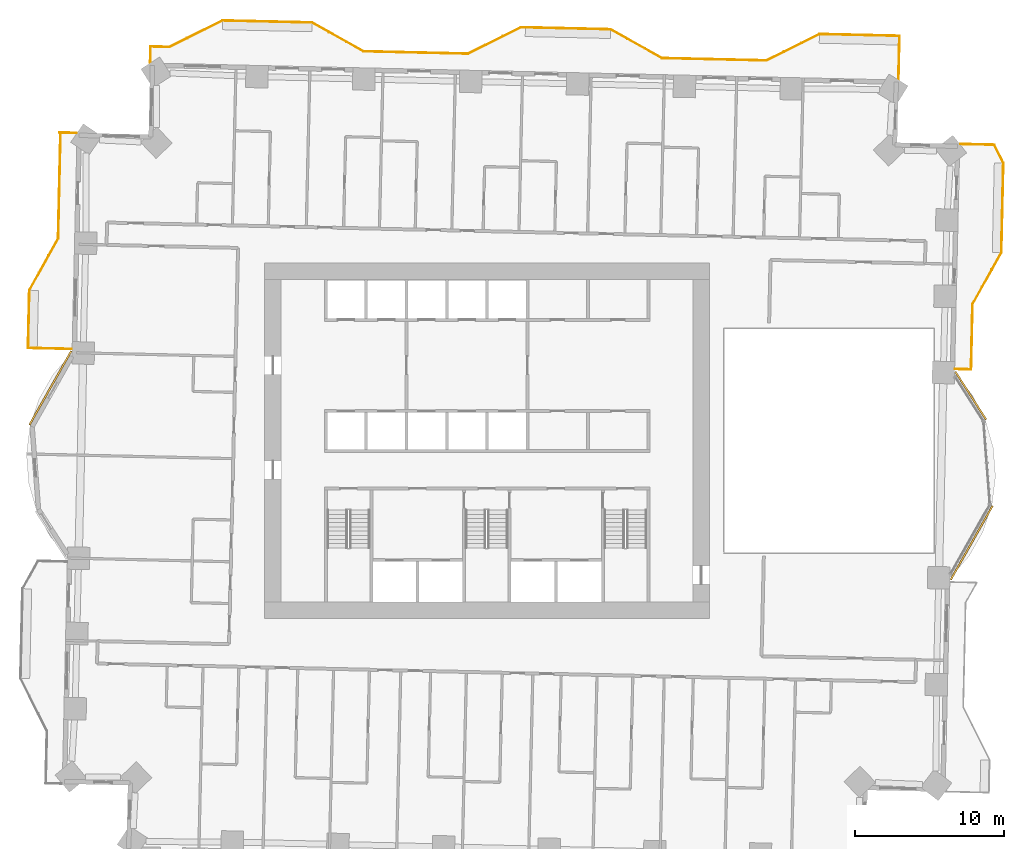
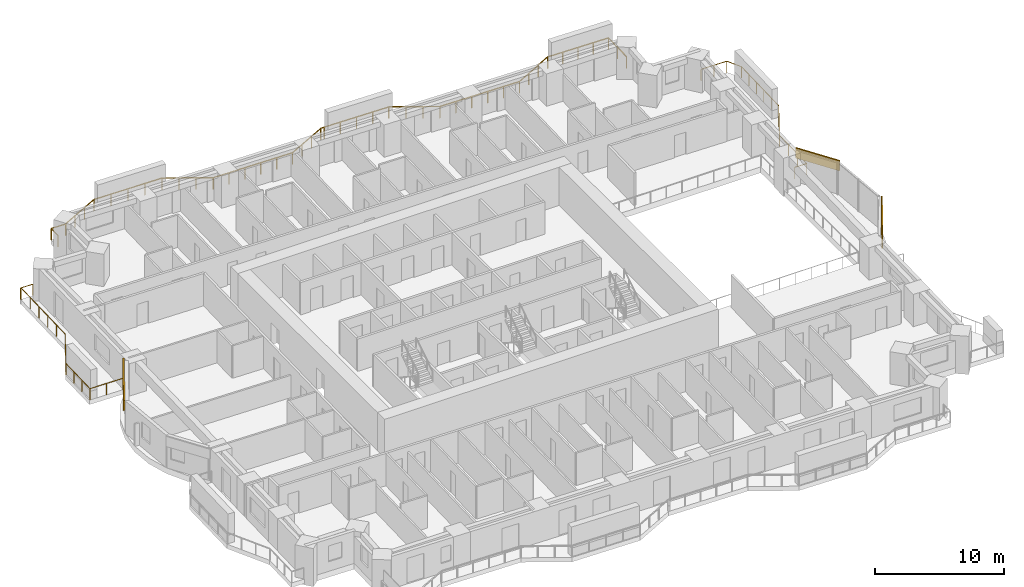
# One storey, part 18 of 18: 3 coverings, 3 railings.
"""IFC4 building model written with IfcOpenShell, lengths in metres."""

from ifc_helpers import new_model, si_unit, direction, frame, frame_2d, origin, origin_2d, place, context, subcontext, project, spatial, rectangle, extrude, material, layer, layer_set, type_object, element, save


model = new_model("IFC4")

# Units and contexts
model_context = context("Model", 3, precision=1e-05, world=origin(), true_north=direction((0.0, 1.0)))
body_context = subcontext(model_context, "Body", "Model", "MODEL_VIEW")
ifc_project = project(units=[si_unit("LENGTHUNIT", "METRE"), si_unit("AREAUNIT", "SQUARE_METRE"), si_unit("VOLUMEUNIT", "CUBIC_METRE"), si_unit("PLANEANGLEUNIT", "RADIAN"), si_unit("MASSUNIT", "GRAM", prefix="KILO")], contexts=[model_context])

# Site, building, storey
site_placement = place(None, origin())
site = spatial("IfcSite", under=ifc_project, at=site_placement, CompositionType="ELEMENT")
building_placement = place(site_placement, origin())
building = spatial("IfcBuilding", under=site, at=building_placement, Name="Mangrove Gate Tower", CompositionType="ELEMENT")
storey_placement = place(building_placement, frame((0.0, 0.0, 56.699951171875)))
storey = spatial("IfcBuildingStorey", under=building, at=storey_placement, Name="L13", CompositionType="ELEMENT", Elevation=56.699951171875)

# Railings
ifc_material_1 = material(Name="Stainless steel grade 316 with laminated glass infill", Category="steel")
railing_type = type_object("IfcRailingType", Name="Balcony guard 1100", PredefinedType="GUARDRAIL", material=ifc_material_1)
railing_1_placement = place(storey_placement, frame((31.362060546875, 4.802001953125, 0.0)))
element("IfcRailing", 1, at=railing_1_placement, inside=storey, type_object=railing_type, Name="GUARD L13 E2", PredefinedType="GUARDRAIL", context=body_context, shape_type="SweptSolid", body=[
    extrude(rectangle(XDim=0.048095703125, YDim=0.048095703125, at=origin_2d()), frame((0.0, 0.0, 1.076171875), z_axis=(0.999745389313, -0.022564497502, 0.0), x_axis=(0.022564497502, 0.999745389313, 0.0)), (0.0, 0.0, 1.0), 1.060302734375),
    extrude(rectangle(XDim=0.048095703125, YDim=0.048095703125, at=origin_2d()), frame((1.06005859375, -0.02392578125, 1.076171875), z_axis=(0.022606024383, 0.999744451178, 0.0), x_axis=(-0.999744451178, 0.022606024383, 0.0)), (0.0, 0.0, 1.0), 4.3740234375),
    extrude(rectangle(XDim=0.048095703125, YDim=0.048095703125, at=origin_2d()), frame((1.158935546875, 4.348876953125, 1.076171875), z_axis=(0.48726008209, 0.87325689943, 0.0), x_axis=(-0.87325689943, 0.48726008209, 0.0)), (0.0, 0.0, 1.0), 3.958740234375),
    extrude(rectangle(XDim=0.048095703125, YDim=0.048095703125, at=origin_2d()), frame((3.087890625, 7.805908203125, 1.076171875), z_axis=(0.022662255828, 0.999743178102, 0.0), x_axis=(-0.999743178102, 0.022662255828, 0.0)), (0.0, 0.0, 1.0), 6.00048828125),
    extrude(rectangle(XDim=0.048095703125, YDim=0.048095703125, at=origin_2d()), frame((3.223876953125, 13.804931640625, 1.076171875), z_axis=(-0.447141648494, 0.894463160886, 0.0), x_axis=(-0.894463160886, -0.447141648494, 0.0)), (0.0, 0.0, 1.0), 1.357421875),
    extrude(rectangle(XDim=0.048095703125, YDim=0.048095703125, at=origin_2d()), frame((2.616943359375, 15.01904296875, 1.076171875), z_axis=(-0.999748549019, 0.022424065974, 0.0), x_axis=(-0.022424065974, -0.999748549019, 0.0)), (0.0, 0.0, 1.0), 2.275390625),
    extrude(rectangle(XDim=0.0419921875, YDim=0.0419921875, at=origin_2d()), origin(), (0.0, 0.0, 1.0), 1.052001953125),
    extrude(rectangle(XDim=0.0419921875, YDim=0.0419921875, at=origin_2d()), frame((1.06005859375, -0.02392578125, 0.0)), (0.0, 0.0, 1.0), 1.052001953125),
    extrude(rectangle(XDim=0.0419921875, YDim=0.0419921875, at=origin_2d()), frame((1.093017578125, 1.43359375, 0.0)), (0.0, 0.0, 1.0), 1.052001953125),
    extrude(rectangle(XDim=0.0419921875, YDim=0.0419921875, at=origin_2d()), frame((1.1259765625, 2.891357421875, 0.0)), (0.0, 0.0, 1.0), 1.052001953125),
    extrude(rectangle(XDim=0.0419921875, YDim=0.0419921875, at=origin_2d()), frame((1.158935546875, 4.348876953125, 0.0)), (0.0, 0.0, 1.0), 1.052001953125),
    extrude(rectangle(XDim=0.0419921875, YDim=0.0419921875, at=origin_2d()), frame((1.802001953125, 5.501220703125, 0.0)), (0.0, 0.0, 1.0), 1.052001953125),
    extrude(rectangle(XDim=0.0419921875, YDim=0.0419921875, at=origin_2d()), frame((2.44482421875, 6.653564453125, 0.0)), (0.0, 0.0, 1.0), 1.052001953125),
    extrude(rectangle(XDim=0.0419921875, YDim=0.0419921875, at=origin_2d()), frame((3.087890625, 7.805908203125, 0.0)), (0.0, 0.0, 1.0), 1.052001953125),
    extrude(rectangle(XDim=0.0419921875, YDim=0.0419921875, at=origin_2d()), frame((3.114990234375, 9.005615234375, 0.0)), (0.0, 0.0, 1.0), 1.052001953125),
    extrude(rectangle(XDim=0.0419921875, YDim=0.0419921875, at=origin_2d()), frame((3.142333984375, 10.20556640625, 0.0)), (0.0, 0.0, 1.0), 1.052001953125),
    extrude(rectangle(XDim=0.0419921875, YDim=0.0419921875, at=origin_2d()), frame((3.16943359375, 11.4052734375, 0.0)), (0.0, 0.0, 1.0), 1.052001953125),
    extrude(rectangle(XDim=0.0419921875, YDim=0.0419921875, at=origin_2d()), frame((3.19677734375, 12.605224609375, 0.0)), (0.0, 0.0, 1.0), 1.052001953125),
    extrude(rectangle(XDim=0.0419921875, YDim=0.0419921875, at=origin_2d()), frame((3.223876953125, 13.804931640625, 0.0)), (0.0, 0.0, 1.0), 1.052001953125),
    extrude(rectangle(XDim=0.0419921875, YDim=0.0419921875, at=origin_2d()), frame((2.616943359375, 15.01904296875, 0.0)), (0.0, 0.0, 1.0), 1.052001953125),
    extrude(rectangle(XDim=0.0419921875, YDim=0.0419921875, at=origin_2d()), frame((1.4794921875, 15.04443359375, 0.0)), (0.0, 0.0, 1.0), 1.052001953125),
    extrude(rectangle(XDim=0.0419921875, YDim=0.0419921875, at=origin_2d()), frame((0.342041015625, 15.070068359375, 0.0)), (0.0, 0.0, 1.0), 1.052001953125),
])
railing_2_placement = place(storey_placement, frame((27.56103515625, 24.2080078125, 0.0)))
element("IfcRailing", 2, at=railing_2_placement, inside=storey, type_object=railing_type, Name="GUARD L13 N1", PredefinedType="GUARDRAIL", context=body_context, shape_type="SweptSolid", body=[
    extrude(rectangle(XDim=0.048095703125, YDim=0.048095703125, at=origin_2d()), frame((0.0, 0.0, 1.076171875), z_axis=(0.022654696127, 0.999743349437, 0.0), x_axis=(-0.999743349437, 0.022654696127, 0.0)), (0.0, 0.0, 1.0), 2.90966796875),
    extrude(rectangle(XDim=0.048095703125, YDim=0.048095703125, at=origin_2d()), frame((0.06591796875, 2.908935546875, 1.076171875), z_axis=(-0.99974134217, 0.022743103466, 0.0), x_axis=(-0.022743103466, -0.99974134217, 0.0)), (0.0, 0.0, 1.0), 5.367431640625),
    extrude(rectangle(XDim=0.048095703125, YDim=0.048095703125, at=origin_2d()), frame((-5.300048828125, 3.031005859375, 1.076171875), z_axis=(-0.894476522376, -0.447114919141, 0.0), x_axis=(0.447114919141, -0.894476522376, 0.0)), (0.0, 0.0, 1.0), 3.958740234375),
    extrude(rectangle(XDim=0.048095703125, YDim=0.048095703125, at=origin_2d()), frame((-8.841064453125, 1.260986328125, 1.076171875), z_axis=(-0.999745423737, 0.022562972274, 0.0), x_axis=(-0.022562972274, -0.999745423737, 0.0)), (0.0, 0.0, 1.0), 7.000732421875),
    extrude(rectangle(XDim=0.048095703125, YDim=0.048095703125, at=origin_2d()), frame((-15.840087890625, 1.4189453125, 1.076171875), z_axis=(-0.87325689943, 0.48726008209, 0.0), x_axis=(-0.48726008209, -0.87325689943, 0.0)), (0.0, 0.0, 1.0), 3.958740234375),
    extrude(rectangle(XDim=0.048095703125, YDim=0.048095703125, at=origin_2d()), frame((-19.297119140625, 3.347900390625, 1.076171875), z_axis=(-0.999739330573, 0.02283135795, 0.0), x_axis=(-0.02283135795, -0.999739330573, 0.0)), (0.0, 0.0, 1.0), 5.699462890625),
    extrude(rectangle(XDim=0.048095703125, YDim=0.048095703125, at=origin_2d()), frame((-24.9951171875, 3.47802734375, 1.076171875), z_axis=(-0.999809071236, 0.019540242435, 0.0), x_axis=(-0.019540242435, -0.999809071236, 0.0)), (0.0, 0.0, 1.0), 0.2998046875),
    extrude(rectangle(XDim=0.048095703125, YDim=0.048095703125, at=origin_2d()), frame((-25.294921875, 3.48388671875, 1.076171875), z_axis=(-0.894501186021, -0.447065574839, 0.0), x_axis=(0.447065574839, -0.894501186021, 0.0)), (0.0, 0.0, 1.0), 3.958740234375),
    extrude(rectangle(XDim=0.048095703125, YDim=0.048095703125, at=origin_2d()), frame((-28.8359375, 1.714111328125, 1.076171875), z_axis=(-0.999742195543, 0.022705559911, 0.0), x_axis=(-0.022705559911, -0.999742195543, 0.0)), (0.0, 0.0, 1.0), 6.999755859375),
    extrude(rectangle(XDim=0.048095703125, YDim=0.048095703125, at=origin_2d()), frame((-35.833984375, 1.873046875, 1.076171875), z_axis=(-0.873315448515, 0.487155136876, 0.0), x_axis=(-0.487155136876, -0.873315448515, 0.0)), (0.0, 0.0, 1.0), 3.959716796875),
    extrude(rectangle(XDim=0.048095703125, YDim=0.048095703125, at=origin_2d()), frame((-39.2919921875, 3.802001953125, 1.076171875), z_axis=(-0.999743094499, 0.022665943652, 0.0), x_axis=(-0.022665943652, -0.999743094499, 0.0)), (0.0, 0.0, 1.0), 5.99951171875),
    extrude(rectangle(XDim=0.048095703125, YDim=0.048095703125, at=origin_2d()), frame((-45.2900390625, 3.93798828125, 1.076171875), z_axis=(-0.894476522376, -0.447114919141, 0.0), x_axis=(0.447114919141, -0.894476522376, 0.0)), (0.0, 0.0, 1.0), 3.958740234375),
    extrude(rectangle(XDim=0.048095703125, YDim=0.048095703125, at=origin_2d()), frame((-48.8310546875, 2.16796875, 1.076171875), z_axis=(-0.999737645147, 0.022905040387, 0.0), x_axis=(-0.022905040387, -0.999737645147, 0.0)), (0.0, 0.0, 1.0), 1.268310546875),
    extrude(rectangle(XDim=0.048095703125, YDim=0.048095703125, at=origin_2d()), frame((-50.09912109375, 2.197021484375, 1.076171875), z_axis=(-0.022564497502, -0.999745389313, 0.0), x_axis=(0.999745389313, -0.022564497502, 0.0)), (0.0, 0.0, 1.0), 1.060302734375),
    extrude(rectangle(XDim=0.0419921875, YDim=0.0419921875, at=origin_2d()), origin(), (0.0, 0.0, 1.0), 1.052001953125),
    extrude(rectangle(XDim=0.0419921875, YDim=0.0419921875, at=origin_2d()), frame((0.032958984375, 1.45458984375, 0.0)), (0.0, 0.0, 1.0), 1.052001953125),
    extrude(rectangle(XDim=0.0419921875, YDim=0.0419921875, at=origin_2d()), frame((0.06591796875, 2.908935546875, 0.0)), (0.0, 0.0, 1.0), 1.052001953125),
    extrude(rectangle(XDim=0.0419921875, YDim=0.0419921875, at=origin_2d()), frame((-1.275634765625, 2.939453125, 0.0)), (0.0, 0.0, 1.0), 1.052001953125),
    extrude(rectangle(XDim=0.0419921875, YDim=0.0419921875, at=origin_2d()), frame((-2.6171875, 2.969970703125, 0.0)), (0.0, 0.0, 1.0), 1.052001953125),
    extrude(rectangle(XDim=0.0419921875, YDim=0.0419921875, at=origin_2d()), frame((-3.95849609375, 3.00048828125, 0.0)), (0.0, 0.0, 1.0), 1.052001953125),
    extrude(rectangle(XDim=0.0419921875, YDim=0.0419921875, at=origin_2d()), frame((-5.300048828125, 3.031005859375, 0.0)), (0.0, 0.0, 1.0), 1.052001953125),
    extrude(rectangle(XDim=0.0419921875, YDim=0.0419921875, at=origin_2d()), frame((-6.48046875, 2.44091796875, 0.0)), (0.0, 0.0, 1.0), 1.052001953125),
    extrude(rectangle(XDim=0.0419921875, YDim=0.0419921875, at=origin_2d()), frame((-7.66064453125, 1.85107421875, 0.0)), (0.0, 0.0, 1.0), 1.052001953125),
    extrude(rectangle(XDim=0.0419921875, YDim=0.0419921875, at=origin_2d()), frame((-8.841064453125, 1.260986328125, 0.0)), (0.0, 0.0, 1.0), 1.052001953125),
    extrude(rectangle(XDim=0.0419921875, YDim=0.0419921875, at=origin_2d()), frame((-10.240966796875, 1.29248046875, 0.0)), (0.0, 0.0, 1.0), 1.052001953125),
    extrude(rectangle(XDim=0.0419921875, YDim=0.0419921875, at=origin_2d()), frame((-11.640625, 1.32421875, 0.0)), (0.0, 0.0, 1.0), 1.052001953125),
    extrude(rectangle(XDim=0.0419921875, YDim=0.0419921875, at=origin_2d()), frame((-13.04052734375, 1.355712890625, 0.0)), (0.0, 0.0, 1.0), 1.052001953125),
    extrude(rectangle(XDim=0.0419921875, YDim=0.0419921875, at=origin_2d()), frame((-14.440185546875, 1.387451171875, 0.0)), (0.0, 0.0, 1.0), 1.052001953125),
    extrude(rectangle(XDim=0.0419921875, YDim=0.0419921875, at=origin_2d()), frame((-15.840087890625, 1.4189453125, 0.0)), (0.0, 0.0, 1.0), 1.052001953125),
    extrude(rectangle(XDim=0.0419921875, YDim=0.0419921875, at=origin_2d()), frame((-16.992431640625, 2.06201171875, 0.0)), (0.0, 0.0, 1.0), 1.052001953125),
    extrude(rectangle(XDim=0.0419921875, YDim=0.0419921875, at=origin_2d()), frame((-18.144775390625, 2.704833984375, 0.0)), (0.0, 0.0, 1.0), 1.052001953125),
    extrude(rectangle(XDim=0.0419921875, YDim=0.0419921875, at=origin_2d()), frame((-19.297119140625, 3.347900390625, 0.0)), (0.0, 0.0, 1.0), 1.052001953125),
    extrude(rectangle(XDim=0.0419921875, YDim=0.0419921875, at=origin_2d()), frame((-20.7216796875, 3.38037109375, 0.0)), (0.0, 0.0, 1.0), 1.052001953125),
    extrude(rectangle(XDim=0.0419921875, YDim=0.0419921875, at=origin_2d()), frame((-22.14599609375, 3.4130859375, 0.0)), (0.0, 0.0, 1.0), 1.052001953125),
    extrude(rectangle(XDim=0.0419921875, YDim=0.0419921875, at=origin_2d()), frame((-23.570556640625, 3.445556640625, 0.0)), (0.0, 0.0, 1.0), 1.052001953125),
    extrude(rectangle(XDim=0.0419921875, YDim=0.0419921875, at=origin_2d()), frame((-24.9951171875, 3.47802734375, 0.0)), (0.0, 0.0, 1.0), 1.052001953125),
    extrude(rectangle(XDim=0.0419921875, YDim=0.0419921875, at=origin_2d()), frame((-25.294921875, 3.48388671875, 0.0)), (0.0, 0.0, 1.0), 1.052001953125),
    extrude(rectangle(XDim=0.0419921875, YDim=0.0419921875, at=origin_2d()), frame((-26.475341796875, 2.89404296875, 0.0)), (0.0, 0.0, 1.0), 1.052001953125),
    extrude(rectangle(XDim=0.0419921875, YDim=0.0419921875, at=origin_2d()), frame((-27.655517578125, 2.303955078125, 0.0)), (0.0, 0.0, 1.0), 1.052001953125),
    extrude(rectangle(XDim=0.0419921875, YDim=0.0419921875, at=origin_2d()), frame((-28.8359375, 1.714111328125, 0.0)), (0.0, 0.0, 1.0), 1.052001953125),
    extrude(rectangle(XDim=0.0419921875, YDim=0.0419921875, at=origin_2d()), frame((-30.235595703125, 1.745849609375, 0.0)), (0.0, 0.0, 1.0), 1.052001953125),
    extrude(rectangle(XDim=0.0419921875, YDim=0.0419921875, at=origin_2d()), frame((-31.63525390625, 1.777587890625, 0.0)), (0.0, 0.0, 1.0), 1.052001953125),
    extrude(rectangle(XDim=0.0419921875, YDim=0.0419921875, at=origin_2d()), frame((-33.03466796875, 1.8095703125, 0.0)), (0.0, 0.0, 1.0), 1.052001953125),
    extrude(rectangle(XDim=0.0419921875, YDim=0.0419921875, at=origin_2d()), frame((-34.434326171875, 1.84130859375, 0.0)), (0.0, 0.0, 1.0), 1.052001953125),
    extrude(rectangle(XDim=0.0419921875, YDim=0.0419921875, at=origin_2d()), frame((-35.833984375, 1.873046875, 0.0)), (0.0, 0.0, 1.0), 1.052001953125),
    extrude(rectangle(XDim=0.0419921875, YDim=0.0419921875, at=origin_2d()), frame((-36.986572265625, 2.51611328125, 0.0)), (0.0, 0.0, 1.0), 1.052001953125),
    extrude(rectangle(XDim=0.0419921875, YDim=0.0419921875, at=origin_2d()), frame((-38.139404296875, 3.158935546875, 0.0)), (0.0, 0.0, 1.0), 1.052001953125),
    extrude(rectangle(XDim=0.0419921875, YDim=0.0419921875, at=origin_2d()), frame((-39.2919921875, 3.802001953125, 0.0)), (0.0, 0.0, 1.0), 1.052001953125),
    extrude(rectangle(XDim=0.0419921875, YDim=0.0419921875, at=origin_2d()), frame((-40.79150390625, 3.8359375, 0.0)), (0.0, 0.0, 1.0), 1.052001953125),
    extrude(rectangle(XDim=0.0419921875, YDim=0.0419921875, at=origin_2d()), frame((-42.291015625, 3.8701171875, 0.0)), (0.0, 0.0, 1.0), 1.052001953125),
    extrude(rectangle(XDim=0.0419921875, YDim=0.0419921875, at=origin_2d()), frame((-43.79052734375, 3.904052734375, 0.0)), (0.0, 0.0, 1.0), 1.052001953125),
    extrude(rectangle(XDim=0.0419921875, YDim=0.0419921875, at=origin_2d()), frame((-45.2900390625, 3.93798828125, 0.0)), (0.0, 0.0, 1.0), 1.052001953125),
    extrude(rectangle(XDim=0.0419921875, YDim=0.0419921875, at=origin_2d()), frame((-46.470458984375, 3.347900390625, 0.0)), (0.0, 0.0, 1.0), 1.052001953125),
    extrude(rectangle(XDim=0.0419921875, YDim=0.0419921875, at=origin_2d()), frame((-47.650634765625, 2.758056640625, 0.0)), (0.0, 0.0, 1.0), 1.052001953125),
    extrude(rectangle(XDim=0.0419921875, YDim=0.0419921875, at=origin_2d()), frame((-48.8310546875, 2.16796875, 0.0)), (0.0, 0.0, 1.0), 1.052001953125),
    extrude(rectangle(XDim=0.0419921875, YDim=0.0419921875, at=origin_2d()), frame((-50.09912109375, 2.197021484375, 0.0)), (0.0, 0.0, 1.0), 1.052001953125),
    extrude(rectangle(XDim=0.0419921875, YDim=0.0419921875, at=origin_2d()), frame((-50.123046875, 1.136962890625, 0.0)), (0.0, 0.0, 1.0), 1.052001953125),
])
railing_3_placement = place(storey_placement, frame((-27.510009765625, 20.615966796875, 0.0)))
element("IfcRailing", 3, at=railing_3_placement, inside=storey, type_object=railing_type, Name="GUARD L13 W1", PredefinedType="GUARDRAIL", context=body_context, shape_type="SweptSolid", body=[
    extrude(rectangle(XDim=0.048095703125, YDim=0.048095703125, at=origin_2d()), frame((0.0, 0.0, 1.076171875), z_axis=(-0.999744883205, 0.022586910061, 0.0), x_axis=(-0.022586910061, -0.999744883205, 0.0)), (0.0, 0.0, 1.0), 1.11328125),
    extrude(rectangle(XDim=0.048095703125, YDim=0.048095703125, at=origin_2d()), frame((-1.113037109375, 0.025146484375, 1.076171875), z_axis=(0.450660299579, -0.892695521655, 0.0), x_axis=(0.892695521655, 0.450660299579, 0.0)), (0.0, 0.0, 1.0), 0.11328125),
    extrude(rectangle(XDim=0.048095703125, YDim=0.048095703125, at=origin_2d()), frame((-1.06201171875, -0.075927734375, 1.076171875), z_axis=(-0.022705559911, -0.999742195543, 0.0), x_axis=(0.999742195543, -0.022705559911, 0.0)), (0.0, 0.0, 1.0), 6.999755859375),
    extrude(rectangle(XDim=0.048095703125, YDim=0.048095703125, at=origin_2d()), frame((-1.220947265625, -7.073974609375, 1.076171875), z_axis=(-0.48726008209, -0.87325689943, 0.0), x_axis=(0.87325689943, -0.48726008209, 0.0)), (0.0, 0.0, 1.0), 3.958740234375),
    extrude(rectangle(XDim=0.048095703125, YDim=0.048095703125, at=origin_2d()), frame((-3.14990234375, -10.531005859375, 1.076171875), z_axis=(-0.022744303924, -0.999741314861, 0.0), x_axis=(0.999741314861, -0.022744303924, 0.0)), (0.0, 0.0, 1.0), 3.875),
    extrude(rectangle(XDim=0.048095703125, YDim=0.048095703125, at=origin_2d()), frame((-3.238037109375, -14.405029296875, 1.076171875), z_axis=(0.999743349437, -0.022654696127, 0.0), x_axis=(0.022654696127, 0.999743349437, 0.0)), (0.0, 0.0, 1.0), 2.90966796875),
    extrude(rectangle(XDim=0.0419921875, YDim=0.0419921875, at=origin_2d()), origin(), (0.0, 0.0, 1.0), 1.052001953125),
    extrude(rectangle(XDim=0.0419921875, YDim=0.0419921875, at=origin_2d()), frame((-1.113037109375, 0.025146484375, 0.0)), (0.0, 0.0, 1.0), 1.052001953125),
    extrude(rectangle(XDim=0.0419921875, YDim=0.0419921875, at=origin_2d()), frame((-1.06201171875, -0.075927734375, 0.0)), (0.0, 0.0, 1.0), 1.052001953125),
    extrude(rectangle(XDim=0.0419921875, YDim=0.0419921875, at=origin_2d()), frame((-1.09375, -1.4755859375, 0.0)), (0.0, 0.0, 1.0), 1.052001953125),
    extrude(rectangle(XDim=0.0419921875, YDim=0.0419921875, at=origin_2d()), frame((-1.12548828125, -2.875244140625, 0.0)), (0.0, 0.0, 1.0), 1.052001953125),
    extrude(rectangle(XDim=0.0419921875, YDim=0.0419921875, at=origin_2d()), frame((-1.157470703125, -4.274658203125, 0.0)), (0.0, 0.0, 1.0), 1.052001953125),
    extrude(rectangle(XDim=0.0419921875, YDim=0.0419921875, at=origin_2d()), frame((-1.189208984375, -5.67431640625, 0.0)), (0.0, 0.0, 1.0), 1.052001953125),
    extrude(rectangle(XDim=0.0419921875, YDim=0.0419921875, at=origin_2d()), frame((-1.220947265625, -7.073974609375, 0.0)), (0.0, 0.0, 1.0), 1.052001953125),
    extrude(rectangle(XDim=0.0419921875, YDim=0.0419921875, at=origin_2d()), frame((-1.864013671875, -8.226318359375, 0.0)), (0.0, 0.0, 1.0), 1.052001953125),
    extrude(rectangle(XDim=0.0419921875, YDim=0.0419921875, at=origin_2d()), frame((-2.5068359375, -9.378662109375, 0.0)), (0.0, 0.0, 1.0), 1.052001953125),
    extrude(rectangle(XDim=0.0419921875, YDim=0.0419921875, at=origin_2d()), frame((-3.14990234375, -10.531005859375, 0.0)), (0.0, 0.0, 1.0), 1.052001953125),
    extrude(rectangle(XDim=0.0419921875, YDim=0.0419921875, at=origin_2d()), frame((-3.17919921875, -11.822265625, 0.0)), (0.0, 0.0, 1.0), 1.052001953125),
    extrude(rectangle(XDim=0.0419921875, YDim=0.0419921875, at=origin_2d()), frame((-3.208740234375, -13.11376953125, 0.0)), (0.0, 0.0, 1.0), 1.052001953125),
    extrude(rectangle(XDim=0.0419921875, YDim=0.0419921875, at=origin_2d()), frame((-3.238037109375, -14.405029296875, 0.0)), (0.0, 0.0, 1.0), 1.052001953125),
    extrude(rectangle(XDim=0.0419921875, YDim=0.0419921875, at=origin_2d()), frame((-1.78369140625, -14.43798828125, 0.0)), (0.0, 0.0, 1.0), 1.052001953125),
    extrude(rectangle(XDim=0.0419921875, YDim=0.0419921875, at=origin_2d()), frame((-0.3291015625, -14.470947265625, 0.0)), (0.0, 0.0, 1.0), 1.052001953125),
])

# Coverings
ifc_material_2 = material(Name="Limestone", Category="masonry")
ifc_layer_1 = layer(ifc_material_2, 0.0400390625, Name="Limestone cladding")
ifc_material_3 = material(Name="Stainless steel anchors and cavity", Category="steel")
ifc_layer_2 = layer(ifc_material_3, 0.080078125, Name="Fixing cavity")
ifc_layer_set = layer_set([ifc_layer_1, ifc_layer_2], Name="Joint fascia cladding 120")
covering_type = type_object("IfcCoveringType", Name="Joint fascia cladding 120", PredefinedType="CLADDING", material=ifc_layer_set)
covering_1_placement = place(storey_placement, frame((31.052001953125, -9.320068359375, 2.10009765625), z_axis=(0.0, 0.0, 1.0), x_axis=(0.492549299416, 0.870284544069, 0.0)))
element("IfcCovering", 4, at=covering_1_placement, inside=storey, type_object=covering_type, Name="STONE FASCIA L13 E1.L1", PredefinedType="CLADDING", context=body_context, shape_type="SweptSolid", body=[
    extrude(rectangle(XDim=5.705078125, YDim=0.1201171875, at=frame_2d((2.8525390625, 0.0))), origin(), (0.0, 0.0, 1.0), 0.949951171875),
])
covering_2_placement = place(storey_placement, frame((33.426025390625, 1.4189453125, 2.10009765625), z_axis=(0.0, 0.0, 1.0), x_axis=(-0.540457066708, 0.841371593914, 0.0)))
element("IfcCovering", 5, at=covering_2_placement, inside=storey, type_object=covering_type, Name="STONE FASCIA L13 E1.L2", PredefinedType="CLADDING", context=body_context, shape_type="SweptSolid", body=[
    extrude(rectangle(XDim=3.81884765625, YDim=0.1201171875, at=frame_2d((1.909423828125, 0.0))), origin(), (0.0, 0.0, 1.0), 0.949951171875),
])
covering_3_placement = place(storey_placement, frame((-27.85205078125, 6.02001953125, 2.10009765625), z_axis=(0.0, 0.0, 1.0), x_axis=(-0.492549299416, -0.870284544069, 0.0)))
element("IfcCovering", 6, at=covering_3_placement, inside=storey, type_object=covering_type, Name="STONE FASCIA L13 W9.L1", PredefinedType="CLADDING", context=body_context, shape_type="SweptSolid", body=[
    extrude(rectangle(XDim=5.705078125, YDim=0.1201171875, at=frame_2d((2.8525390625, 0.0))), origin(), (0.0, 0.0, 1.0), 0.949951171875),
])

save(model, "model.ifc")
